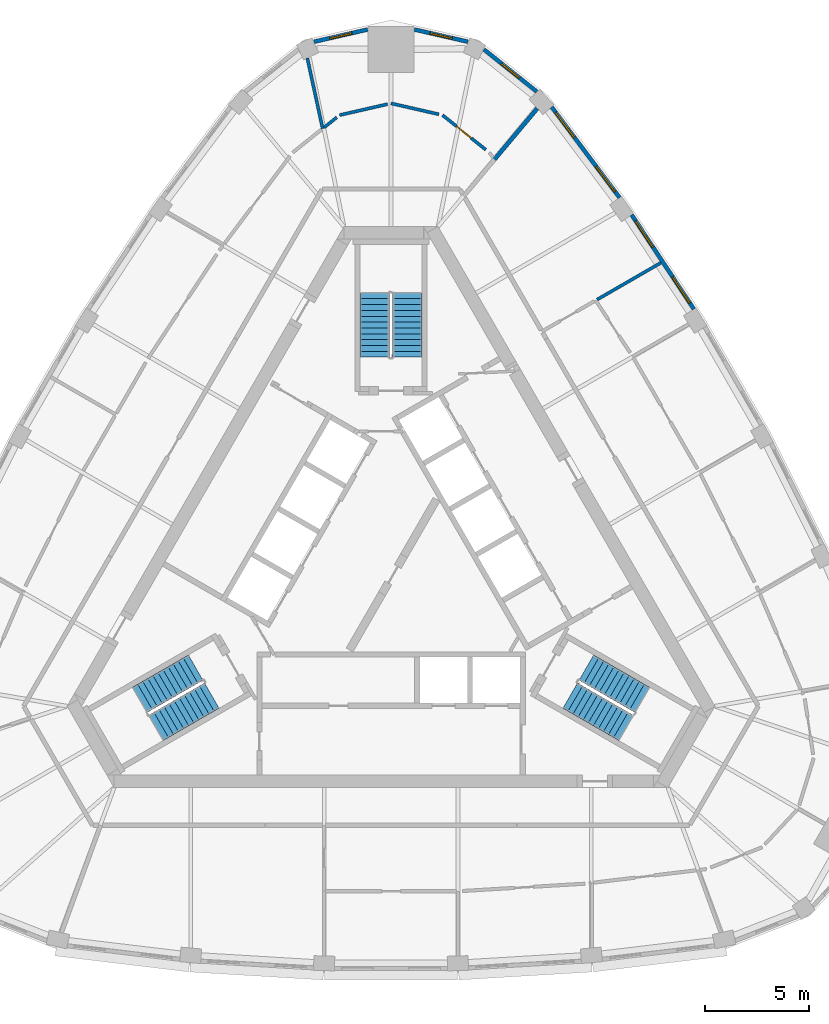
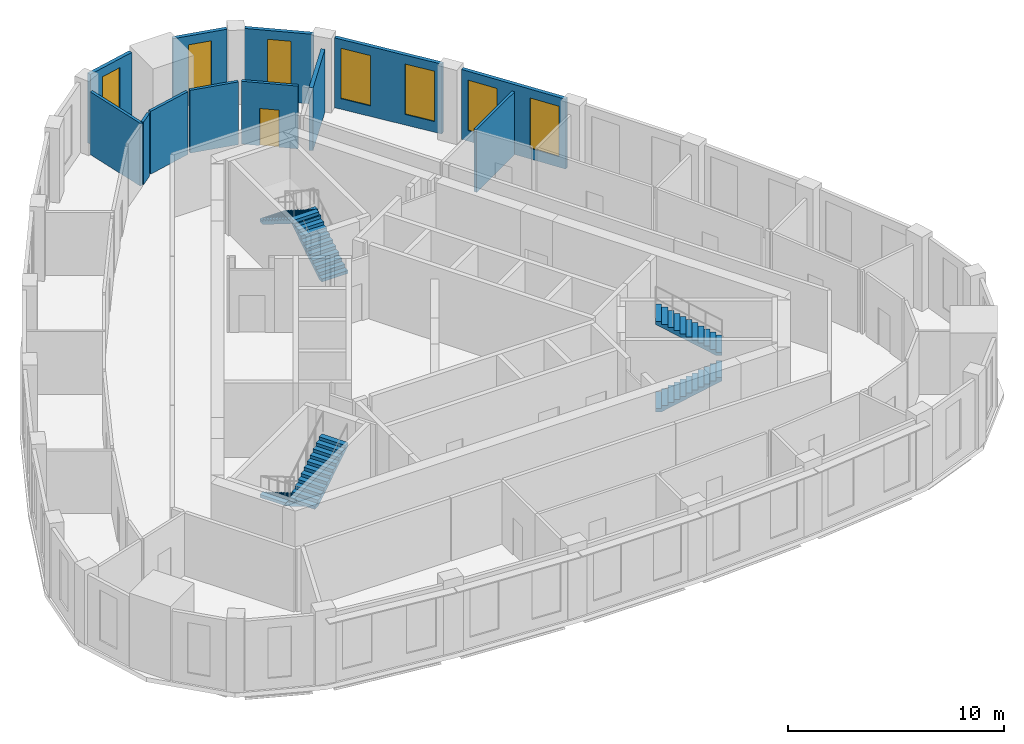
# One storey, part 9 of 10: 12 walls, 7 windows, 6 stair flights, 1 door, 8 openings, 3 elements without a shape of their own.
"""IFC4 building model written with IfcOpenShell, lengths in metres."""

import ifcopenshell
import ifcopenshell.guid

model = None  # the IFC model being written
_history = None  # IfcOwnerHistory: only IFC2X3 demands one
_inside = {}  # id of a spatial element -> (the spatial element, [elements in it])
_under = {}  # id of a project, library or spatial element -> (it, [spatial elements below it])
_declared = {}  # id of a project -> (the project, [libraries it declares])
_typed = {}  # id of a type object -> (the type object, [elements of that type])
_made_of = {}  # id of a material, layer set ... -> (it, [elements and type objects made of it])


def new_model(schema):
    """Start an empty IFC model of exactly this schema.

    Asked for "IFC4X3", IfcOpenShell would pick the latest addendum, in which some entities
    have other attributes; the version numbers below select the first issue.
    IFC2X3 requires an IfcOwnerHistory on every rooted entity: one is made here for all.
    """
    global model, _history
    if schema == "IFC4X3":
        model = ifcopenshell.file(schema_version=(4, 3, 0, 0))
    else:
        model = ifcopenshell.file(schema=schema)
    _inside.clear()
    _under.clear()
    _declared.clear()
    _typed.clear()
    _made_of.clear()
    _history = None
    if model.schema == "IFC2X3":
        org = make("IfcOrganization", Name="unknown")
        user = make(
            "IfcPersonAndOrganization",
            ThePerson=make("IfcPerson", FamilyName="unknown"),
            TheOrganization=org,
        )
        app = make(
            "IfcApplication",
            ApplicationDeveloper=org,
            Version="unknown",
            ApplicationFullName="unknown",
            ApplicationIdentifier="unknown",
        )
        _history = make(
            "IfcOwnerHistory",
            OwningUser=user,
            OwningApplication=app,
            ChangeAction="ADDED",
            CreationDate=0,
        )
    return model


def make(cls, **values):
    """One entity of the class cls with the attributes given. An attribute that is None is left unset."""
    return model.create_entity(
        cls, **{name: value for name, value in values.items() if value is not None}
    )


def rooted(cls, **values):
    """An entity with a GlobalId (a new one), such as an element, a storey or a relation."""
    return make(cls, GlobalId=ifcopenshell.guid.new(), OwnerHistory=_history, **values)


def si_unit(unit_type, name, prefix=None):
    """IfcSIUnit, for example si_unit("LENGTHUNIT", "METRE", prefix="MILLI")."""
    return make("IfcSIUnit", UnitType=unit_type, Prefix=prefix, Name=name)


def assignment(units):
    """IfcUnitAssignment: the units of a project."""
    return None if units is None else make("IfcUnitAssignment", Units=units)


def point(xyz):
    """IfcCartesianPoint."""
    return None if xyz is None else make("IfcCartesianPoint", Coordinates=xyz)


def direction(xyz):
    """IfcDirection."""
    return None if xyz is None else make("IfcDirection", DirectionRatios=xyz)


def frame(location, z_axis=None, x_axis=None):
    """IfcAxis2Placement3D, a coordinate frame: its origin and axes. An axis left out is left unset."""
    return make(
        "IfcAxis2Placement3D",
        Location=point(location),
        Axis=direction(z_axis),
        RefDirection=direction(x_axis),
    )


def frame_2d(location, x_axis=None):
    """IfcAxis2Placement2D, a coordinate frame in the plane: its origin and x axis."""
    return make(
        "IfcAxis2Placement2D", Location=point(location), RefDirection=direction(x_axis)
    )


def origin():
    """The frame at (0, 0, 0) with its axes left unset."""
    return frame((0.0, 0.0, 0.0))


def place(relative_to, where):
    """IfcLocalPlacement: puts the frame where relative to a parent placement (None: the world)."""
    return make(
        "IfcLocalPlacement", PlacementRelTo=relative_to, RelativePlacement=where
    )


def context(
    kind, dimensions, precision=None, world=None, true_north=None, identifier=None
):
    """IfcGeometricRepresentationContext, for example the 3D "Model" context."""
    return make(
        "IfcGeometricRepresentationContext",
        ContextIdentifier=identifier,
        ContextType=kind,
        CoordinateSpaceDimension=dimensions,
        Precision=precision,
        WorldCoordinateSystem=world,
        TrueNorth=true_north,
    )


def subcontext(parent, identifier, kind, view, scale=None):
    """IfcGeometricRepresentationSubContext, for example "Body" below "Model"."""
    return make(
        "IfcGeometricRepresentationSubContext",
        ContextIdentifier=identifier,
        ContextType=kind,
        ParentContext=parent,
        TargetScale=scale,
        TargetView=view,
    )


def project(units=None, contexts=None):
    """IfcProject with its units and contexts."""
    return rooted(
        "IfcProject",
        Name="project",
        RepresentationContexts=contexts,
        UnitsInContext=assignment(units),
    )


def spatial(cls, under=None, at=None, **own):
    """A site, building, storey or space (cls), placed at a placement, below another one or the project."""
    s = rooted(cls, ObjectPlacement=at, **own)
    if under is not None:
        _under.setdefault(under.id(), (under, []))[1].append(s)
    return s


def polyline(points):
    """IfcPolyline through the points."""
    return make("IfcPolyline", Points=[point(p) for p in points])


def profile(cls, at=None, kind="AREA", **sizes):
    """A parametric profile (cls). Its sizes go by their IFC names, for example OverallWidth=200.0."""
    return make(cls, ProfileType=kind, Position=at, **sizes)


def rectangle(**sizes):
    """IfcRectangleProfileDef."""
    return profile("IfcRectangleProfileDef", **sizes)


def outline(outer, holes=None, kind="AREA"):
    """IfcArbitraryClosedProfileDef: a profile drawn as a closed curve; with holes, ...WithVoids."""
    if holes is None:
        return make("IfcArbitraryClosedProfileDef", ProfileType=kind, OuterCurve=outer)
    return make(
        "IfcArbitraryProfileDefWithVoids",
        ProfileType=kind,
        OuterCurve=outer,
        InnerCurves=holes,
    )


def extrude(swept, where, along, depth):
    """IfcExtrudedAreaSolid: the profile swept, set in the frame where, extruded along a direction by depth."""
    return make(
        "IfcExtrudedAreaSolid",
        SweptArea=swept,
        Position=where,
        ExtrudedDirection=direction(along),
        Depth=depth,
    )


def shape(context_of_items, identifier, shape_type, items):
    """IfcShapeRepresentation: the items that make up one representation, for example the "Body"."""
    return make(
        "IfcShapeRepresentation",
        ContextOfItems=context_of_items,
        RepresentationIdentifier=identifier,
        RepresentationType=shape_type,
        Items=items,
    )


def material(Name=None, Category=None):
    """IfcMaterial."""
    return make("IfcMaterial", Name=Name, Category=Category)


def layer(
    of_material, thickness, ventilated=None, Name=None, Category=None, Priority=None
):
    """IfcMaterialLayer: one layer of a wall or slab, of a material (None: an air gap)."""
    return make(
        "IfcMaterialLayer",
        Material=of_material,
        LayerThickness=thickness,
        IsVentilated=ventilated,
        Name=Name,
        Category=Category,
        Priority=Priority,
    )


def layer_set(layers, Name=None):
    """IfcMaterialLayerSet."""
    return make("IfcMaterialLayerSet", MaterialLayers=layers, LayerSetName=Name)


def made_of(thing, what):
    """Note that an element or type object is made of a material, layer set ...; save() writes the relation."""
    if what is not None:
        _made_of.setdefault(what.id(), (what, []))[1].append(thing)
    return thing


def type_object(cls, material=None, **own):
    """A type object (cls), such as IfcWallType, which elements share."""
    return made_of(rooted(cls, **own), material)


def element(
    cls,
    number,
    at=None,
    inside=None,
    cuts=None,
    type_object=None,
    material=None,
    context=None,
    identifier="Body",
    shape_type=None,
    held_by="IfcProductDefinitionShape",
    body=None,
    shapes=None,
    **own,
):
    """One element of the class cls, such as IfcWall. Its Tag is "e" and its number.

    at: its placement. inside: the storey or other place that contains it. cuts: it is an
    opening in that element (IfcRelVoidsElement). A single representation is given by context,
    identifier, shape_type and body (its items); several are given by shapes. held_by: the class
    of the entity that holds the representations. save() writes the other relations.
    """
    e = rooted(cls, Tag="e%d" % number, ObjectPlacement=at, **own)
    if body is not None:
        shapes = [shape(context, identifier, shape_type, body)]
    if shapes is not None:
        e.Representation = make(held_by, Representations=shapes)
    if inside is not None:
        _inside.setdefault(inside.id(), (inside, []))[1].append(e)
    if cuts is not None:
        rooted(
            "IfcRelVoidsElement", RelatingBuildingElement=cuts, RelatedOpeningElement=e
        )
    if type_object is not None:
        _typed.setdefault(type_object.id(), (type_object, []))[1].append(e)
    return made_of(e, material)


def fill(opening, filler):
    """IfcRelFillsElement: the door or window that sits in an opening."""
    return rooted(
        "IfcRelFillsElement",
        RelatingOpeningElement=opening,
        RelatedBuildingElement=filler,
    )


def aggregate(whole, parts):
    """IfcRelAggregates: a whole, such as a stair, and the parts it consists of."""
    return rooted("IfcRelAggregates", RelatingObject=whole, RelatedObjects=parts)


def save(model, path):
    """Write the relations noted so far, then the file.

    IfcRelAggregates (storeys below a building ...), IfcRelContainedInSpatialStructure (elements
    in a storey), IfcRelDefinesByType, IfcRelAssociatesMaterial and IfcRelDeclares: one each for
    every whole, place, type object, material and project.
    """
    for whole, parts in _under.values():
        aggregate(whole, parts)
    for where, things in _inside.values():
        rooted(
            "IfcRelContainedInSpatialStructure",
            RelatedElements=things,
            RelatingStructure=where,
        )
    for kind, things in _typed.values():
        rooted("IfcRelDefinesByType", RelatedObjects=things, RelatingType=kind)
    for what, things in _made_of.values():
        rooted("IfcRelAssociatesMaterial", RelatedObjects=things, RelatingMaterial=what)
    for by, libraries in _declared.values():
        rooted("IfcRelDeclares", RelatingContext=by, RelatedDefinitions=libraries)
    model.write(path)


model = new_model("IFC4")

# Units and contexts
model_context = context("Model", 3, precision=1e-05, world=origin(), true_north=direction((0.0, 1.0)))
body_context = subcontext(model_context, "Body", "Model", "MODEL_VIEW")
ifc_project = project(units=[si_unit("LENGTHUNIT", "METRE"), si_unit("AREAUNIT", "SQUARE_METRE"), si_unit("VOLUMEUNIT", "CUBIC_METRE"), si_unit("PLANEANGLEUNIT", "RADIAN"), si_unit("MASSUNIT", "GRAM", prefix="KILO")], contexts=[model_context])

# Site, building, storey
site_placement = place(None, origin())
site = spatial("IfcSite", under=ifc_project, at=site_placement, CompositionType="ELEMENT")
building_placement = place(site_placement, origin())
building = spatial("IfcBuilding", under=site, at=building_placement, Name="Mestral Congress Tower", CompositionType="ELEMENT")
storey_placement = place(building_placement, frame((0.0, 0.0, 267.0)))
storey = spatial("IfcBuildingStorey", under=building, at=storey_placement, Name="L62", CompositionType="ELEMENT", Elevation=267.0)

# Wall, openings, windows
ifc_material_1 = material(Name="Precast concrete C40/50 with limestone facing", Category="masonry")
ifc_layer_1 = layer(ifc_material_1, 0.18994140625)
ifc_layer_set_1 = layer_set([ifc_layer_1], Name="Precast concrete C40/50 with limestone facing")
wall_type_1 = type_object("IfcWallType", Name="Facade stone wall 190", PredefinedType="SOLIDWALL", material=ifc_layer_set_1)
wall_1_placement = place(storey_placement, frame((14.49560546875, 12.6533203125, 0.0), z_axis=(0.0, 0.0, 1.0), x_axis=(-0.550744054781, 0.83467417962, 0.0)))
wall_1 = element("IfcWall", 1, at=wall_1_placement, inside=storey, type_object=wall_type_1, Name="Facade wall F1-03", PredefinedType="SOLIDWALL", context=body_context, shape_type="SweptSolid", body=[
    extrude(rectangle(XDim=5.406005859375, YDim=0.18994140625, at=frame_2d((2.703125, 0.0))), origin(), (0.0, 0.0, 1.0), 3.949951171875),
])
opening_1_placement = place(wall_1_placement, frame((0.346435546875, 0.0, 0.60009765625)))
opening_1 = element("IfcOpeningElement", 2, at=opening_1_placement, cuts=wall_1, Name="Opening W6", PredefinedType="OPENING", context=body_context, shape_type="SweptSolid", body=[
    extrude(rectangle(XDim=1.5, YDim=2.85009765625, at=frame_2d((0.75, 1.425048828125))), frame((0.0, 0.10498046875, 0.0), z_axis=(0.0, -1.0, 0.0), x_axis=(1.0, 0.0, 0.0)), (0.0, 0.0, 1.0), 0.2099609375),
])
opening_2_placement = place(wall_1_placement, frame((3.559326171875, 0.0, 0.60009765625)))
opening_2 = element("IfcOpeningElement", 3, at=opening_2_placement, cuts=wall_1, Name="Opening W6", PredefinedType="OPENING", context=body_context, shape_type="SweptSolid", body=[
    extrude(rectangle(XDim=1.5, YDim=2.85009765625, at=frame_2d((0.75, 1.425048828125))), frame((0.0, 0.10498046875, 0.0), z_axis=(0.0, -1.0, 0.0), x_axis=(1.0, 0.0, 0.0)), (0.0, 0.0, 1.0), 0.2099609375),
])
ifc_material_2 = material(Name="Clear low-emissivity double glazing", Category="glass")
window_type_1 = type_object("IfcWindowType", Name="Facade punched window 1500 x 2850 sill 600", PartitioningType="SINGLE_PANEL", PredefinedType="WINDOW", material=ifc_material_2)
window_1_placement = place(opening_1_placement, origin())
window_1 = element("IfcWindow", 4, at=window_1_placement, inside=storey, type_object=window_type_1, Name="Window F1-03a", OverallHeight=2.85009765625, OverallWidth=1.5, PartitioningType="SINGLE_PANEL", PredefinedType="WINDOW", context=body_context, shape_type="SweptSolid", body=[
    extrude(rectangle(XDim=1.5, YDim=2.85009765625, at=frame_2d((0.75, 1.425048828125))), frame((0.0, 0.044921875, 0.0), z_axis=(0.0, -1.0, 0.0), x_axis=(1.0, 0.0, 0.0)), (0.0, 0.0, 1.0), 0.06005859375),
])
fill(opening_1, window_1)
window_2_placement = place(opening_2_placement, origin())
window_2 = element("IfcWindow", 5, at=window_2_placement, inside=storey, type_object=window_type_1, Name="Window F1-03b", OverallHeight=2.85009765625, OverallWidth=1.5, PartitioningType="SINGLE_PANEL", PredefinedType="WINDOW", context=body_context, shape_type="SweptSolid", body=[
    extrude(rectangle(XDim=1.5, YDim=2.85009765625, at=frame_2d((0.75, 1.425048828125))), frame((0.0, 0.044921875, 0.0), z_axis=(0.0, -1.0, 0.0), x_axis=(1.0, 0.0, 0.0)), (0.0, 0.0, 1.0), 0.06005859375),
])
fill(opening_2, window_2)

wall_2_placement = place(storey_placement, frame((10.938232421875, 17.989990234375, 0.0), z_axis=(0.0, 0.0, 1.0), x_axis=(-0.599559865294, 0.800329911929, 0.0)))
wall_2 = element("IfcWall", 6, at=wall_2_placement, inside=storey, type_object=wall_type_1, Name="Facade wall F1-04", PredefinedType="SOLIDWALL", context=body_context, shape_type="SweptSolid", body=[
    extrude(rectangle(XDim=5.4150390625, YDim=0.18994140625, at=frame_2d((2.70751953125, 0.0))), origin(), (0.0, 0.0, 1.0), 3.949951171875),
])
opening_3_placement = place(wall_2_placement, frame((0.357666015625, 0.0, 0.60009765625)))
opening_3 = element("IfcOpeningElement", 7, at=opening_3_placement, cuts=wall_2, Name="Opening W6", PredefinedType="OPENING", context=body_context, shape_type="SweptSolid", body=[
    extrude(rectangle(XDim=1.5, YDim=2.85009765625, at=frame_2d((0.75, 1.425048828125))), frame((0.0, 0.10498046875, 0.0), z_axis=(0.0, -1.0, 0.0), x_axis=(1.0, 0.0, 0.0)), (0.0, 0.0, 1.0), 0.2099609375),
])
opening_4_placement = place(wall_2_placement, frame((3.592529296875, 0.0, 0.60009765625)))
opening_4 = element("IfcOpeningElement", 8, at=opening_4_placement, cuts=wall_2, Name="Opening W6", PredefinedType="OPENING", context=body_context, shape_type="SweptSolid", body=[
    extrude(rectangle(XDim=1.5, YDim=2.85009765625, at=frame_2d((0.75, 1.425048828125))), frame((0.0, 0.10498046875, 0.0), z_axis=(0.0, -1.0, 0.0), x_axis=(1.0, 0.0, 0.0)), (0.0, 0.0, 1.0), 0.2099609375),
])
window_3_placement = place(opening_3_placement, origin())
window_3 = element("IfcWindow", 9, at=window_3_placement, inside=storey, type_object=window_type_1, Name="Window F1-04a", OverallHeight=2.85009765625, OverallWidth=1.5, PartitioningType="SINGLE_PANEL", PredefinedType="WINDOW", context=body_context, shape_type="SweptSolid", body=[
    extrude(rectangle(XDim=1.5, YDim=2.85009765625, at=frame_2d((0.75, 1.425048828125))), frame((0.0, 0.044921875, 0.0), z_axis=(0.0, -1.0, 0.0), x_axis=(1.0, 0.0, 0.0)), (0.0, 0.0, 1.0), 0.06005859375),
])
fill(opening_3, window_3)
window_4_placement = place(opening_4_placement, origin())
window_4 = element("IfcWindow", 10, at=window_4_placement, inside=storey, type_object=window_type_1, Name="Window F1-04b", OverallHeight=2.85009765625, OverallWidth=1.5, PartitioningType="SINGLE_PANEL", PredefinedType="WINDOW", context=body_context, shape_type="SweptSolid", body=[
    extrude(rectangle(XDim=1.5, YDim=2.85009765625, at=frame_2d((0.75, 1.425048828125))), frame((0.0, 0.044921875, 0.0), z_axis=(0.0, -1.0, 0.0), x_axis=(1.0, 0.0, 0.0)), (0.0, 0.0, 1.0), 0.06005859375),
])
fill(opening_4, window_4)

# Wall, opening, window
wall_3_placement = place(storey_placement, frame((6.977294921875, 23.061279296875, 0.0), z_axis=(0.0, 0.0, 1.0), x_axis=(-0.781626234064, 0.623747088349, 0.0)))
wall_3 = element("IfcWall", 11, at=wall_3_placement, inside=storey, type_object=wall_type_1, Name="Facade wall K1-0", PredefinedType="SOLIDWALL", context=body_context, shape_type="SweptSolid", body=[
    extrude(rectangle(XDim=3.236572265625, YDim=0.18994140625, at=frame_2d((1.6181640625, 0.0))), origin(), (0.0, 0.0, 1.0), 3.949951171875),
])
opening_5_placement = place(wall_3_placement, frame((1.068359375, 0.0, 0.60009765625)))
opening_5 = element("IfcOpeningElement", 12, at=opening_5_placement, cuts=wall_3, Name="Opening W7", PredefinedType="OPENING", context=body_context, shape_type="SweptSolid", body=[
    extrude(rectangle(XDim=1.10009765625, YDim=2.85009765625, at=frame_2d((0.550048828125, 1.425048828125))), frame((0.0, 0.10498046875, 0.0), z_axis=(0.0, -1.0, 0.0), x_axis=(1.0, 0.0, 0.0)), (0.0, 0.0, 1.0), 0.2099609375),
])
window_type_2 = type_object("IfcWindowType", Name="Facade punched window 1100 x 2850 sill 600", PartitioningType="SINGLE_PANEL", PredefinedType="WINDOW", material=ifc_material_2)
window_5_placement = place(opening_5_placement, origin())
window_5 = element("IfcWindow", 13, at=window_5_placement, inside=storey, type_object=window_type_2, Name="Window K1-0", OverallHeight=2.85009765625, OverallWidth=1.10009765625, PartitioningType="SINGLE_PANEL", PredefinedType="WINDOW", context=body_context, shape_type="SweptSolid", body=[
    extrude(rectangle(XDim=1.10009765625, YDim=2.85009765625, at=frame_2d((0.550048828125, 1.425048828125))), frame((0.0, 0.044921875, 0.0), z_axis=(0.0, -1.0, 0.0), x_axis=(1.0, 0.0, 0.0)), (0.0, 0.0, 1.0), 0.06005859375),
])
fill(opening_5, window_5)

wall_4_placement = place(storey_placement, frame((3.6826171875, 25.44873046875, 0.0), z_axis=(0.0, 0.0, 1.0), x_axis=(-0.974913273386, 0.222585060988, 0.0)))
wall_4 = element("IfcWall", 14, at=wall_4_placement, inside=storey, type_object=wall_type_1, Name="Facade wall K1-1", PredefinedType="SOLIDWALL", context=body_context, shape_type="SweptSolid", body=[
    extrude(rectangle(XDim=2.626953125, YDim=0.18994140625, at=frame_2d((1.3134765625, 0.0))), origin(), (0.0, 0.0, 1.0), 3.949951171875),
])
opening_6_placement = place(wall_4_placement, frame((0.763427734375, 0.0, 0.60009765625)))
opening_6 = element("IfcOpeningElement", 15, at=opening_6_placement, cuts=wall_4, Name="Opening W7", PredefinedType="OPENING", context=body_context, shape_type="SweptSolid", body=[
    extrude(rectangle(XDim=1.10009765625, YDim=2.85009765625, at=frame_2d((0.550048828125, 1.425048828125))), frame((0.0, 0.10498046875, 0.0), z_axis=(0.0, -1.0, 0.0), x_axis=(1.0, 0.0, 0.0)), (0.0, 0.0, 1.0), 0.2099609375),
])
window_6_placement = place(opening_6_placement, origin())
window_6 = element("IfcWindow", 16, at=window_6_placement, inside=storey, type_object=window_type_2, Name="Window K1-1", OverallHeight=2.85009765625, OverallWidth=1.10009765625, PartitioningType="SINGLE_PANEL", PredefinedType="WINDOW", context=body_context, shape_type="SweptSolid", body=[
    extrude(rectangle(XDim=1.10009765625, YDim=2.85009765625, at=frame_2d((0.550048828125, 1.425048828125))), frame((0.0, 0.044921875, 0.0), z_axis=(0.0, -1.0, 0.0), x_axis=(1.0, 0.0, 0.0)), (0.0, 0.0, 1.0), 0.06005859375),
])
fill(opening_6, window_6)

wall_5_placement = place(storey_placement, frame((-1.12158203125, 26.033447265625, 0.0), z_axis=(0.0, 0.0, 1.0), x_axis=(-0.974913273386, -0.222585060988, 0.0)))
wall_5 = element("IfcWall", 17, at=wall_5_placement, inside=storey, type_object=wall_type_1, Name="Facade wall K1-2", PredefinedType="SOLIDWALL", context=body_context, shape_type="SweptSolid", body=[
    extrude(rectangle(XDim=2.626953125, YDim=0.18994140625, at=frame_2d((1.3134765625, 0.0))), origin(), (0.0, 0.0, 1.0), 3.949951171875),
])
opening_7_placement = place(wall_5_placement, frame((0.763427734375, 0.0, 0.60009765625)))
opening_7 = element("IfcOpeningElement", 18, at=opening_7_placement, cuts=wall_5, Name="Opening W7", PredefinedType="OPENING", context=body_context, shape_type="SweptSolid", body=[
    extrude(rectangle(XDim=1.10009765625, YDim=2.85009765625, at=frame_2d((0.550048828125, 1.425048828125))), frame((0.0, 0.10498046875, 0.0), z_axis=(0.0, -1.0, 0.0), x_axis=(1.0, 0.0, 0.0)), (0.0, 0.0, 1.0), 0.2099609375),
])
window_7_placement = place(opening_7_placement, origin())
window_7 = element("IfcWindow", 19, at=window_7_placement, inside=storey, type_object=window_type_2, Name="Window K1-2", OverallHeight=2.85009765625, OverallWidth=1.10009765625, PartitioningType="SINGLE_PANEL", PredefinedType="WINDOW", context=body_context, shape_type="SweptSolid", body=[
    extrude(rectangle(XDim=1.10009765625, YDim=2.85009765625, at=frame_2d((0.550048828125, 1.425048828125))), frame((0.0, 0.044921875, 0.0), z_axis=(0.0, -1.0, 0.0), x_axis=(1.0, 0.0, 0.0)), (0.0, 0.0, 1.0), 0.06005859375),
])
fill(opening_7, window_7)

# Walls
ifc_material_3 = material(Name="Plasterboard partition on steel studs", Category="steel")
ifc_layer_2 = layer(ifc_material_3, 0.14990234375)
ifc_layer_set_2 = layer_set([ifc_layer_2], Name="Plasterboard partition on steel studs")
wall_type_2 = type_object("IfcWallType", Name="Office partition 150", PredefinedType="PARTITIONING", material=ifc_layer_set_2)
wall_6_placement = place(storey_placement, frame((9.85986328125, 13.10595703125, 0.0), z_axis=(0.0, 0.0, 1.0), x_axis=(0.866022094817, 0.500005731256, 0.0)))
element("IfcWall", 20, at=wall_6_placement, inside=storey, type_object=wall_type_2, Name="Partition", PredefinedType="PARTITIONING", context=body_context, shape_type="SweptSolid", body=[
    extrude(rectangle(XDim=3.53125, YDim=0.14990234375, at=frame_2d((1.765625, 0.0))), origin(), (0.0, 0.0, 1.0), 3.550048828125),
])
wall_7_placement = place(storey_placement, frame((-3.271728515625, 21.291015625, 0.0), z_axis=(0.0, 0.0, 1.0), x_axis=(-0.212467791623, 0.977168070254, 0.0)))
element("IfcWall", 21, at=wall_7_placement, inside=storey, type_object=wall_type_2, Name="Partition", PredefinedType="PARTITIONING", context=body_context, shape_type="SweptSolid", body=[
    extrude(rectangle(XDim=3.4541015625, YDim=0.14990234375, at=frame_2d((1.72705078125, 0.0))), origin(), (0.0, 0.0, 1.0), 3.550048828125),
])

# Wall, opening, door
wall_8_placement = place(storey_placement, frame((2.4619140625, 21.937255859375, 0.0), z_axis=(0.0, 0.0, 1.0), x_axis=(0.781630346222, -0.62374193531, 0.0)))
wall_8 = element("IfcWall", 22, at=wall_8_placement, inside=storey, type_object=wall_type_2, Name="Partition", PredefinedType="PARTITIONING", context=body_context, shape_type="SweptSolid", body=[
    extrude(rectangle(XDim=2.656494140625, YDim=0.14990234375, at=frame_2d((1.328125, 0.0))), origin(), (0.0, 0.0, 1.0), 3.550048828125),
])
opening_8_placement = place(wall_8_placement, frame((0.856689453125, 0.0, 0.0)))
opening_8 = element("IfcOpeningElement", 23, at=opening_8_placement, cuts=wall_8, Name="Opening O11-013", PredefinedType="OPENING", context=body_context, shape_type="SweptSolid", body=[
    extrude(rectangle(XDim=0.89990234375, YDim=2.10009765625, at=frame_2d((0.449951171875, 1.050048828125))), frame((0.0, 0.0849609375, 0.0), z_axis=(0.0, -1.0, 0.0), x_axis=(1.0, 0.0, 0.0)), (0.0, 0.0, 1.0), 0.169921875),
])
ifc_material_4 = material(Name="Timber door set", Category="wood")
door_type = type_object("IfcDoorType", Name="Office door 900x2100", OperationType="SINGLE_SWING_LEFT", PredefinedType="DOOR", material=ifc_material_4)
door_placement = place(opening_8_placement, origin())
door = element("IfcDoor", 24, at=door_placement, inside=storey, type_object=door_type, Name="Door O11-013", OperationType="SINGLE_SWING_LEFT", OverallHeight=2.10009765625, OverallWidth=0.89990234375, PredefinedType="DOOR", context=body_context, shape_type="SweptSolid", body=[
    extrude(rectangle(XDim=0.89990234375, YDim=2.10009765625, at=frame_2d((0.449951171875, 1.050048828125))), frame((0.0, 0.02490234375, 0.0), z_axis=(0.0, -1.0, 0.0), x_axis=(1.0, 0.0, 0.0)), (0.0, 0.0, 1.0), 0.050048828125),
])
fill(opening_8, door)

# Walls
for number, where, z_axis, x_axis, name in (
    (25, (2.29345703125, 21.975830078125, 0.0), (0.0, 0.0, 1.0), (-0.974908077769, 0.222607816352, 0.0), "Partition"),
    (26, (-0.16845703125, 22.461181640625, 0.0), (0.0, 0.0, 1.0), (-0.974885550769, -0.222706450069, 0.0), "Partition"),
):
    element("IfcWall", number, at=place(storey_placement, frame(where, z_axis=z_axis, x_axis=x_axis)), inside=storey, type_object=wall_type_2, Name=name, PredefinedType="PARTITIONING", context=body_context, shape_type="SweptSolid", body=[
        extrude(rectangle(XDim=2.3525390625, YDim=0.14990234375, at=frame_2d((1.17626953125, 0.0))), origin(), (0.0, 0.0, 1.0), 3.550048828125),
    ])
wall_9_placement = place(storey_placement, frame((-2.596923828125, 21.82958984375, 0.0), z_axis=(0.0, 0.0, 1.0), x_axis=(-0.781601481229, -0.623778105211, 0.0)))
element("IfcWall", 27, at=wall_9_placement, inside=storey, type_object=wall_type_2, Name="Partition", PredefinedType="PARTITIONING", context=body_context, shape_type="SweptSolid", body=[
    extrude(rectangle(XDim=0.779541015625, YDim=0.14990234375, at=frame_2d((0.3896484375, 0.0))), origin(), (0.0, 0.0, 1.0), 3.550048828125),
])
ifc_material_5 = material(Name="Dense masonry wall, plastered", Category="masonry")
ifc_layer_3 = layer(ifc_material_5, 0.199951171875)
ifc_layer_set_3 = layer_set([ifc_layer_3], Name="Dense masonry wall, plastered")
wall_type_3 = type_object("IfcWallType", Name="Office tenancy wall 200", PredefinedType="PARTITIONING", material=ifc_layer_set_3)
wall_10_placement = place(storey_placement, frame((4.949951171875, 19.814208984375, 0.0), z_axis=(0.0, 0.0, 1.0), x_axis=(0.642981953866, 0.765881326971, 0.0)))
element("IfcWall", 28, at=wall_10_placement, inside=storey, type_object=wall_type_3, Name="Tenancy wall", PredefinedType="PARTITIONING", context=body_context, shape_type="SweptSolid", body=[
    extrude(rectangle(XDim=3.188232421875, YDim=0.199951171875, at=frame_2d((1.59423828125, 0.0))), origin(), (0.0, 0.0, 1.0), 3.550048828125),
])

# Stair, stair flights
ifc_material_6 = material(Name="Concrete C60/75", Category="concrete")
stair_type = type_object("IfcStairType", Name="Exit stair 1400", PredefinedType="HALF_TURN_STAIR", material=ifc_material_6)
placement = place(storey_placement, origin())
stair_1 = element("IfcStair", 29, at=placement, inside=storey, type_object=stair_type, Name="L62 ST1", PredefinedType="HALF_TURN_STAIR")
stair_flight_type = type_object("IfcStairFlightType", Name="Exit stair flight 1400", PredefinedType="STRAIGHT", material=ifc_material_6)
stair_flight_1_placement = place(storey_placement, frame((8.575927734375, -5.84619140625, 0.0), z_axis=(0.0, 0.0, 1.0), x_axis=(0.866025403784, -0.5, 0.0)))
stair_flight_1 = element("IfcStairFlight", 30, at=stair_flight_1_placement, type_object=stair_flight_type, Name="ST1 flight 1", NumberOfRisers=12, NumberOfTreads=11, PredefinedType="STRAIGHT", RiserHeight=0.175, TreadLength=0.28, context=body_context, shape_type="SweptSolid", body=[
    extrude(outline(polyline([(0.0, 0.0), (0.0, 0.175048828125), (0.280029296875, 0.175048828125), (0.280029296875, 0.35009765625), (0.56005859375, 0.35009765625), (0.56005859375, 0.52490234375), (0.840087890625, 0.52490234375), (0.840087890625, 0.699951171875), (1.1201171875, 0.699951171875), (1.1201171875, 0.875), (1.39990234375, 0.875), (1.39990234375, 1.050048828125), (1.679931640625, 1.050048828125), (1.679931640625, 1.22509765625), (1.9599609375, 1.22509765625), (1.9599609375, 1.39990234375), (2.239990234375, 1.39990234375), (2.239990234375, 1.574951171875), (2.52001953125, 1.574951171875), (2.52001953125, 1.75), (2.800048828125, 1.75), (2.800048828125, 1.925048828125), (3.080078125, 1.925048828125), (3.080078125, 2.10009765625), (3.080078125, 1.748291015625), (0.28271484375, 0.0), (0.0, 0.0)])), frame((0.0, 0.699951171875, 0.0), z_axis=(0.0, -1.0, 0.0), x_axis=(1.0, 0.0, 0.0)), (0.0, 0.0, 1.0), 1.39990234375),
])
stair_flight_2_placement = place(storey_placement, frame((12.018310546875, -6.0439453125, 2.10009765625), z_axis=(0.0, 0.0, 1.0), x_axis=(-0.866025403784, 0.5, 0.0)))
stair_flight_2 = element("IfcStairFlight", 31, at=stair_flight_2_placement, type_object=stair_flight_type, Name="ST1 flight 2", NumberOfRisers=12, NumberOfTreads=11, PredefinedType="STRAIGHT", RiserHeight=0.175, TreadLength=0.28, context=body_context, shape_type="SweptSolid", body=[
    extrude(outline(polyline([(0.0, 0.0), (0.0, 0.175048828125), (0.280029296875, 0.175048828125), (0.280029296875, 0.35009765625), (0.56005859375, 0.35009765625), (0.56005859375, 0.52490234375), (0.840087890625, 0.52490234375), (0.840087890625, 0.699951171875), (1.1201171875, 0.699951171875), (1.1201171875, 0.875), (1.39990234375, 0.875), (1.39990234375, 1.050048828125), (1.679931640625, 1.050048828125), (1.679931640625, 1.22509765625), (1.9599609375, 1.22509765625), (1.9599609375, 1.39990234375), (2.239990234375, 1.39990234375), (2.239990234375, 1.574951171875), (2.52001953125, 1.574951171875), (2.52001953125, 1.75), (2.800048828125, 1.75), (2.800048828125, 1.925048828125), (3.080078125, 1.925048828125), (3.080078125, 2.10009765625), (3.080078125, 1.748291015625), (0.28271484375, 0.0), (0.0, 0.0)])), frame((0.0, 0.699951171875, 0.0), z_axis=(0.0, -1.0, 0.0), x_axis=(1.0, 0.0, 0.0)), (0.0, 0.0, 1.0), 1.39990234375),
])
aggregate(stair_1, [stair_flight_1, stair_flight_2])

stair_2 = element("IfcStair", 32, at=placement, inside=storey, type_object=stair_type, Name="L62 ST2", PredefinedType="HALF_TURN_STAIR")
stair_flight_3_placement = place(storey_placement, frame((0.77490234375, 10.35009765625, 0.0), z_axis=(0.0, 0.0, 1.0), x_axis=(0.0, 1.0, 0.0)))
stair_flight_3 = element("IfcStairFlight", 33, at=stair_flight_3_placement, type_object=stair_flight_type, Name="ST2 flight 1", NumberOfRisers=12, NumberOfTreads=11, PredefinedType="STRAIGHT", RiserHeight=0.175, TreadLength=0.28, context=body_context, shape_type="SweptSolid", body=[
    extrude(outline(polyline([(0.0, 0.0), (0.0, 0.175048828125), (0.280029296875, 0.175048828125), (0.280029296875, 0.35009765625), (0.56005859375, 0.35009765625), (0.56005859375, 0.52490234375), (0.840087890625, 0.52490234375), (0.840087890625, 0.699951171875), (1.1201171875, 0.699951171875), (1.1201171875, 0.875), (1.39990234375, 0.875), (1.39990234375, 1.050048828125), (1.679931640625, 1.050048828125), (1.679931640625, 1.22509765625), (1.9599609375, 1.22509765625), (1.9599609375, 1.39990234375), (2.239990234375, 1.39990234375), (2.239990234375, 1.574951171875), (2.52001953125, 1.574951171875), (2.52001953125, 1.75), (2.800048828125, 1.75), (2.800048828125, 1.925048828125), (3.080078125, 1.925048828125), (3.080078125, 2.10009765625), (3.080078125, 1.748291015625), (0.28271484375, 0.0), (0.0, 0.0)])), frame((0.0, 0.699951171875, 0.0), z_axis=(0.0, -1.0, 0.0), x_axis=(1.0, 0.0, 0.0)), (0.0, 0.0, 1.0), 1.39990234375),
])
stair_flight_4_placement = place(storey_placement, frame((-0.77490234375, 13.429931640625, 2.10009765625), z_axis=(0.0, 0.0, 1.0), x_axis=(0.0, -1.0, 0.0)))
stair_flight_4 = element("IfcStairFlight", 34, at=stair_flight_4_placement, type_object=stair_flight_type, Name="ST2 flight 2", NumberOfRisers=12, NumberOfTreads=11, PredefinedType="STRAIGHT", RiserHeight=0.175, TreadLength=0.28, context=body_context, shape_type="SweptSolid", body=[
    extrude(outline(polyline([(0.0, 0.0), (0.0, 0.175048828125), (0.280029296875, 0.175048828125), (0.280029296875, 0.35009765625), (0.56005859375, 0.35009765625), (0.56005859375, 0.52490234375), (0.840087890625, 0.52490234375), (0.840087890625, 0.699951171875), (1.1201171875, 0.699951171875), (1.1201171875, 0.875), (1.39990234375, 0.875), (1.39990234375, 1.050048828125), (1.679931640625, 1.050048828125), (1.679931640625, 1.22509765625), (1.9599609375, 1.22509765625), (1.9599609375, 1.39990234375), (2.239990234375, 1.39990234375), (2.239990234375, 1.574951171875), (2.52001953125, 1.574951171875), (2.52001953125, 1.75), (2.800048828125, 1.75), (2.800048828125, 1.925048828125), (3.080078125, 1.925048828125), (3.080078125, 2.10009765625), (3.080078125, 1.748291015625), (0.28271484375, 0.0), (0.0, 0.0)])), frame((0.0, 0.699951171875, 0.0), z_axis=(0.0, -1.0, 0.0), x_axis=(1.0, 0.0, 0.0)), (0.0, 0.0, 1.0), 1.39990234375),
])
aggregate(stair_2, [stair_flight_3, stair_flight_4])

stair_3 = element("IfcStair", 35, at=placement, inside=storey, type_object=stair_type, Name="L62 ST3", PredefinedType="HALF_TURN_STAIR")
stair_flight_5_placement = place(storey_placement, frame((-9.350830078125, -4.50390625, 0.0), z_axis=(0.0, 0.0, 1.0), x_axis=(-0.866025403784, -0.5, 0.0)))
stair_flight_5 = element("IfcStairFlight", 36, at=stair_flight_5_placement, type_object=stair_flight_type, Name="ST3 flight 1", NumberOfRisers=12, NumberOfTreads=11, PredefinedType="STRAIGHT", RiserHeight=0.175, TreadLength=0.28, context=body_context, shape_type="SweptSolid", body=[
    extrude(outline(polyline([(0.0, 0.0), (0.0, 0.175048828125), (0.280029296875, 0.175048828125), (0.280029296875, 0.35009765625), (0.56005859375, 0.35009765625), (0.56005859375, 0.52490234375), (0.840087890625, 0.52490234375), (0.840087890625, 0.699951171875), (1.1201171875, 0.699951171875), (1.1201171875, 0.875), (1.39990234375, 0.875), (1.39990234375, 1.050048828125), (1.679931640625, 1.050048828125), (1.679931640625, 1.22509765625), (1.9599609375, 1.22509765625), (1.9599609375, 1.39990234375), (2.239990234375, 1.39990234375), (2.239990234375, 1.574951171875), (2.52001953125, 1.574951171875), (2.52001953125, 1.75), (2.800048828125, 1.75), (2.800048828125, 1.925048828125), (3.080078125, 1.925048828125), (3.080078125, 2.10009765625), (3.080078125, 1.748291015625), (0.28271484375, 0.0), (0.0, 0.0)])), frame((0.0, 0.699951171875, 0.0), z_axis=(0.0, -1.0, 0.0), x_axis=(1.0, 0.0, 0.0)), (0.0, 0.0, 1.0), 1.39990234375),
])
stair_flight_6_placement = place(storey_placement, frame((-11.2431640625, -7.38623046875, 2.10009765625), z_axis=(0.0, 0.0, 1.0), x_axis=(0.866025403784, 0.5, 0.0)))
stair_flight_6 = element("IfcStairFlight", 37, at=stair_flight_6_placement, type_object=stair_flight_type, Name="ST3 flight 2", NumberOfRisers=12, NumberOfTreads=11, PredefinedType="STRAIGHT", RiserHeight=0.175, TreadLength=0.28, context=body_context, shape_type="SweptSolid", body=[
    extrude(outline(polyline([(0.0, 0.0), (0.0, 0.175048828125), (0.280029296875, 0.175048828125), (0.280029296875, 0.35009765625), (0.56005859375, 0.35009765625), (0.56005859375, 0.52490234375), (0.840087890625, 0.52490234375), (0.840087890625, 0.699951171875), (1.1201171875, 0.699951171875), (1.1201171875, 0.875), (1.39990234375, 0.875), (1.39990234375, 1.050048828125), (1.679931640625, 1.050048828125), (1.679931640625, 1.22509765625), (1.9599609375, 1.22509765625), (1.9599609375, 1.39990234375), (2.239990234375, 1.39990234375), (2.239990234375, 1.574951171875), (2.52001953125, 1.574951171875), (2.52001953125, 1.75), (2.800048828125, 1.75), (2.800048828125, 1.925048828125), (3.080078125, 1.925048828125), (3.080078125, 2.10009765625), (3.080078125, 1.748291015625), (0.28271484375, 0.0), (0.0, 0.0)])), frame((0.0, 0.699951171875, 0.0), z_axis=(0.0, -1.0, 0.0), x_axis=(1.0, 0.0, 0.0)), (0.0, 0.0, 1.0), 1.39990234375),
])
aggregate(stair_3, [stair_flight_5, stair_flight_6])

save(model, "model.ifc")
